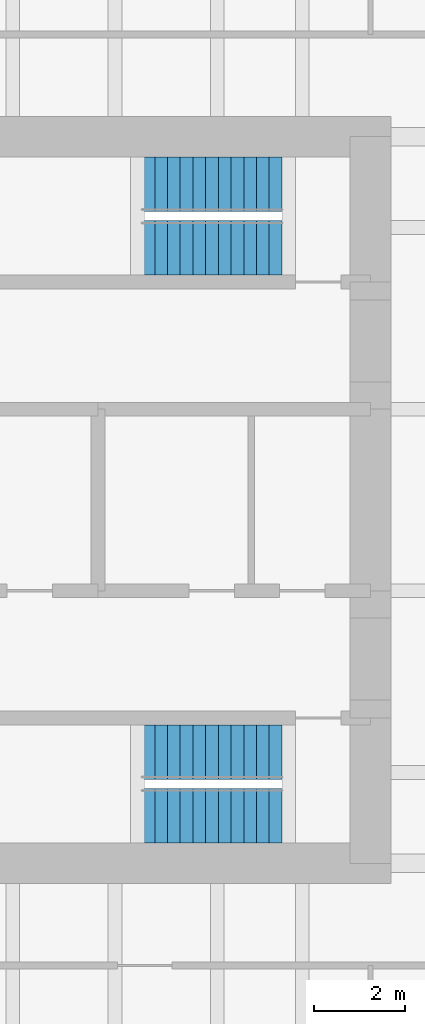
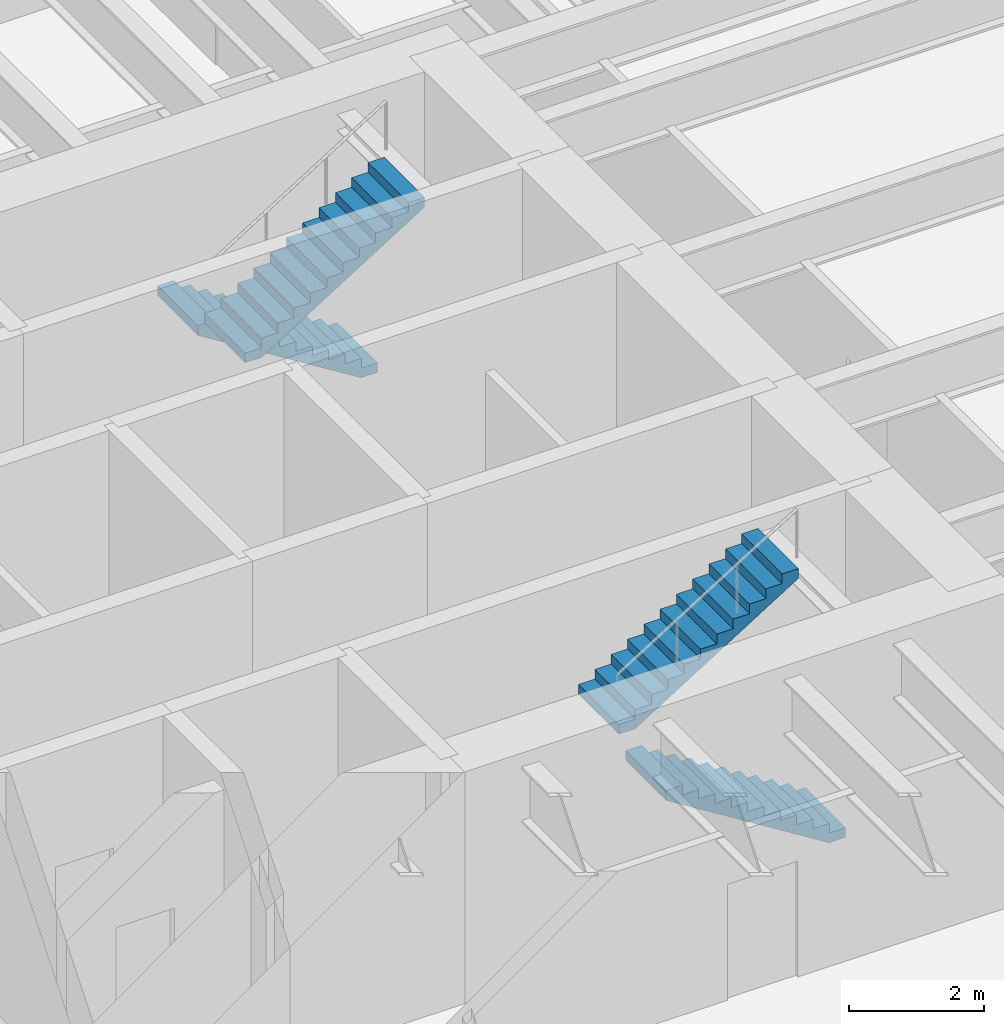
# One storey, part 15 of 16: 4 stair flights, 2 elements without a shape of their own.
"""IFC4 building model written with IfcOpenShell, lengths in metres."""

from ifc_helpers import new_model, si_unit, direction, frame, origin, place, context, subcontext, project, spatial, polyline, outline, extrude, material, type_object, element, aggregate, save


model = new_model("IFC4")

# Units and contexts
model_context = context("Model", 3, precision=1e-05, world=origin(), true_north=direction((0.0, 1.0)))
body_context = subcontext(model_context, "Body", "Model", "MODEL_VIEW")
ifc_project = project(units=[si_unit("LENGTHUNIT", "METRE"), si_unit("AREAUNIT", "SQUARE_METRE"), si_unit("VOLUMEUNIT", "CUBIC_METRE"), si_unit("PLANEANGLEUNIT", "RADIAN"), si_unit("MASSUNIT", "GRAM", prefix="KILO")], contexts=[model_context])

# Site, building, storey
site_placement = place(None, origin())
site = spatial("IfcSite", under=ifc_project, at=site_placement, CompositionType="ELEMENT")
building_placement = place(site_placement, origin())
building = spatial("IfcBuilding", under=site, at=building_placement, Name="Rheinbord Bourse Tower", CompositionType="ELEMENT")
storey_placement = place(building_placement, frame((0.0, 0.0, 176.10009765625)))
storey = spatial("IfcBuildingStorey", under=building, at=storey_placement, Name="L39", CompositionType="ELEMENT", Elevation=176.10009765625)

# Stair, stair flights
ifc_material_1 = material(Name="Concrete C30/37", Category="concrete")
stair_type = type_object("IfcStairType", Name="CORE STAIR HALF TURN 4200", PredefinedType="HALF_TURN_STAIR", material=ifc_material_1)
stair_1_placement = place(storey_placement, origin())
stair_1 = element("IfcStair", 1, at=stair_1_placement, inside=storey, type_object=stair_type, Name="Stair ST3 L39, type CS6", PredefinedType="HALF_TURN_STAIR")
ifc_material_2 = material(Name="Concrete C30/37", Category="concrete")
stair_flight_type = type_object("IfcStairFlightType", Name="CORE STAIR FLIGHT 1200, 12 RISERS", PredefinedType="STRAIGHT", material=ifc_material_2)
stair_flight_1_placement = place(storey_placement, frame((52.050048828125, 17.050048828125, 0.0), z_axis=(0.0, 0.0, 1.0), x_axis=(-1.0, 0.0, 0.0)))
stair_flight_1 = element("IfcStairFlight", 2, at=stair_flight_1_placement, type_object=stair_flight_type, Name="STAIR L39 ST3 F1", NumberOfRisers=12, NumberOfTreads=11, PredefinedType="STRAIGHT", RiserHeight=0.175, TreadLength=0.28, context=body_context, shape_type="SweptSolid", body=[
    extrude(outline(polyline([(0.0, 0.0), (0.0, 0.175048828125), (0.280029296875, 0.175048828125), (0.280029296875, 0.35009765625), (0.56005859375, 0.35009765625), (0.56005859375, 0.52490234375), (0.840087890625, 0.52490234375), (0.840087890625, 0.699951171875), (1.1201171875, 0.699951171875), (1.1201171875, 0.875), (1.39990234375, 0.875), (1.39990234375, 1.050048828125), (1.679931640625, 1.050048828125), (1.679931640625, 1.22509765625), (1.9599609375, 1.22509765625), (1.9599609375, 1.39990234375), (2.239990234375, 1.39990234375), (2.239990234375, 1.574951171875), (2.52001953125, 1.574951171875), (2.52001953125, 1.75), (2.800048828125, 1.75), (2.800048828125, 1.925048828125), (3.080078125, 1.925048828125), (3.080078125, 2.10009765625), (3.080078125, 1.748291015625), (0.28271484375, 0.0), (0.0, 0.0)])), frame((0.0, 0.60009765625, 0.0), z_axis=(0.0, -1.0, 0.0), x_axis=(1.0, 0.0, 0.0)), (0.0, 0.0, 1.0), 1.199951171875),
])
stair_flight_2_placement = place(storey_placement, frame((48.969970703125, 18.449951171875, 2.099853515625), z_axis=(0.0, 0.0, 1.0), x_axis=(1.0, 0.0, 0.0)))
stair_flight_2 = element("IfcStairFlight", 3, at=stair_flight_2_placement, type_object=stair_flight_type, Name="STAIR L39 ST3 F2", NumberOfRisers=12, NumberOfTreads=11, PredefinedType="STRAIGHT", RiserHeight=0.175, TreadLength=0.28, context=body_context, shape_type="SweptSolid", body=[
    extrude(outline(polyline([(0.0, 0.0), (0.0, 0.175048828125), (0.280029296875, 0.175048828125), (0.280029296875, 0.35009765625), (0.56005859375, 0.35009765625), (0.56005859375, 0.52490234375), (0.840087890625, 0.52490234375), (0.840087890625, 0.699951171875), (1.1201171875, 0.699951171875), (1.1201171875, 0.875), (1.39990234375, 0.875), (1.39990234375, 1.050048828125), (1.679931640625, 1.050048828125), (1.679931640625, 1.22509765625), (1.9599609375, 1.22509765625), (1.9599609375, 1.39990234375), (2.239990234375, 1.39990234375), (2.239990234375, 1.574951171875), (2.52001953125, 1.574951171875), (2.52001953125, 1.75), (2.800048828125, 1.75), (2.800048828125, 1.925048828125), (3.080078125, 1.925048828125), (3.080078125, 2.10009765625), (3.080078125, 1.748291015625), (0.28271484375, 0.0), (0.0, 0.0)])), frame((0.0, 0.60009765625, 0.0), z_axis=(0.0, -1.0, 0.0), x_axis=(1.0, 0.0, 0.0)), (0.0, 0.0, 1.0), 1.199951171875),
])
aggregate(stair_1, [stair_flight_1, stair_flight_2])

stair_2_placement = place(storey_placement, origin())
stair_2 = element("IfcStair", 4, at=stair_2_placement, inside=storey, type_object=stair_type, Name="Stair ST4 L39, type CS6", PredefinedType="HALF_TURN_STAIR")
stair_flight_3_placement = place(storey_placement, frame((52.050048828125, 30.949951171875, 0.0), z_axis=(0.0, 0.0, 1.0), x_axis=(-1.0, 0.0, 0.0)))
stair_flight_3 = element("IfcStairFlight", 5, at=stair_flight_3_placement, type_object=stair_flight_type, Name="STAIR L39 ST4 F1", NumberOfRisers=12, NumberOfTreads=11, PredefinedType="STRAIGHT", RiserHeight=0.175, TreadLength=0.28, context=body_context, shape_type="SweptSolid", body=[
    extrude(outline(polyline([(0.0, 0.0), (0.0, 0.175048828125), (0.280029296875, 0.175048828125), (0.280029296875, 0.35009765625), (0.56005859375, 0.35009765625), (0.56005859375, 0.52490234375), (0.840087890625, 0.52490234375), (0.840087890625, 0.699951171875), (1.1201171875, 0.699951171875), (1.1201171875, 0.875), (1.39990234375, 0.875), (1.39990234375, 1.050048828125), (1.679931640625, 1.050048828125), (1.679931640625, 1.22509765625), (1.9599609375, 1.22509765625), (1.9599609375, 1.39990234375), (2.239990234375, 1.39990234375), (2.239990234375, 1.574951171875), (2.52001953125, 1.574951171875), (2.52001953125, 1.75), (2.800048828125, 1.75), (2.800048828125, 1.925048828125), (3.080078125, 1.925048828125), (3.080078125, 2.10009765625), (3.080078125, 1.748291015625), (0.28271484375, 0.0), (0.0, 0.0)])), frame((0.0, 0.60009765625, 0.0), z_axis=(0.0, -1.0, 0.0), x_axis=(1.0, 0.0, 0.0)), (0.0, 0.0, 1.0), 1.199951171875),
])
stair_flight_4_placement = place(storey_placement, frame((48.969970703125, 29.550048828125, 2.099853515625), z_axis=(0.0, 0.0, 1.0), x_axis=(1.0, 0.0, 0.0)))
stair_flight_4 = element("IfcStairFlight", 6, at=stair_flight_4_placement, type_object=stair_flight_type, Name="STAIR L39 ST4 F2", NumberOfRisers=12, NumberOfTreads=11, PredefinedType="STRAIGHT", RiserHeight=0.175, TreadLength=0.28, context=body_context, shape_type="SweptSolid", body=[
    extrude(outline(polyline([(0.0, 0.0), (0.0, 0.175048828125), (0.280029296875, 0.175048828125), (0.280029296875, 0.35009765625), (0.56005859375, 0.35009765625), (0.56005859375, 0.52490234375), (0.840087890625, 0.52490234375), (0.840087890625, 0.699951171875), (1.1201171875, 0.699951171875), (1.1201171875, 0.875), (1.39990234375, 0.875), (1.39990234375, 1.050048828125), (1.679931640625, 1.050048828125), (1.679931640625, 1.22509765625), (1.9599609375, 1.22509765625), (1.9599609375, 1.39990234375), (2.239990234375, 1.39990234375), (2.239990234375, 1.574951171875), (2.52001953125, 1.574951171875), (2.52001953125, 1.75), (2.800048828125, 1.75), (2.800048828125, 1.925048828125), (3.080078125, 1.925048828125), (3.080078125, 2.10009765625), (3.080078125, 1.748291015625), (0.28271484375, 0.0), (0.0, 0.0)])), frame((0.0, 0.60009765625, 0.0), z_axis=(0.0, -1.0, 0.0), x_axis=(1.0, 0.0, 0.0)), (0.0, 0.0, 1.0), 1.199951171875),
])
aggregate(stair_2, [stair_flight_3, stair_flight_4])

save(model, "model.ifc")
